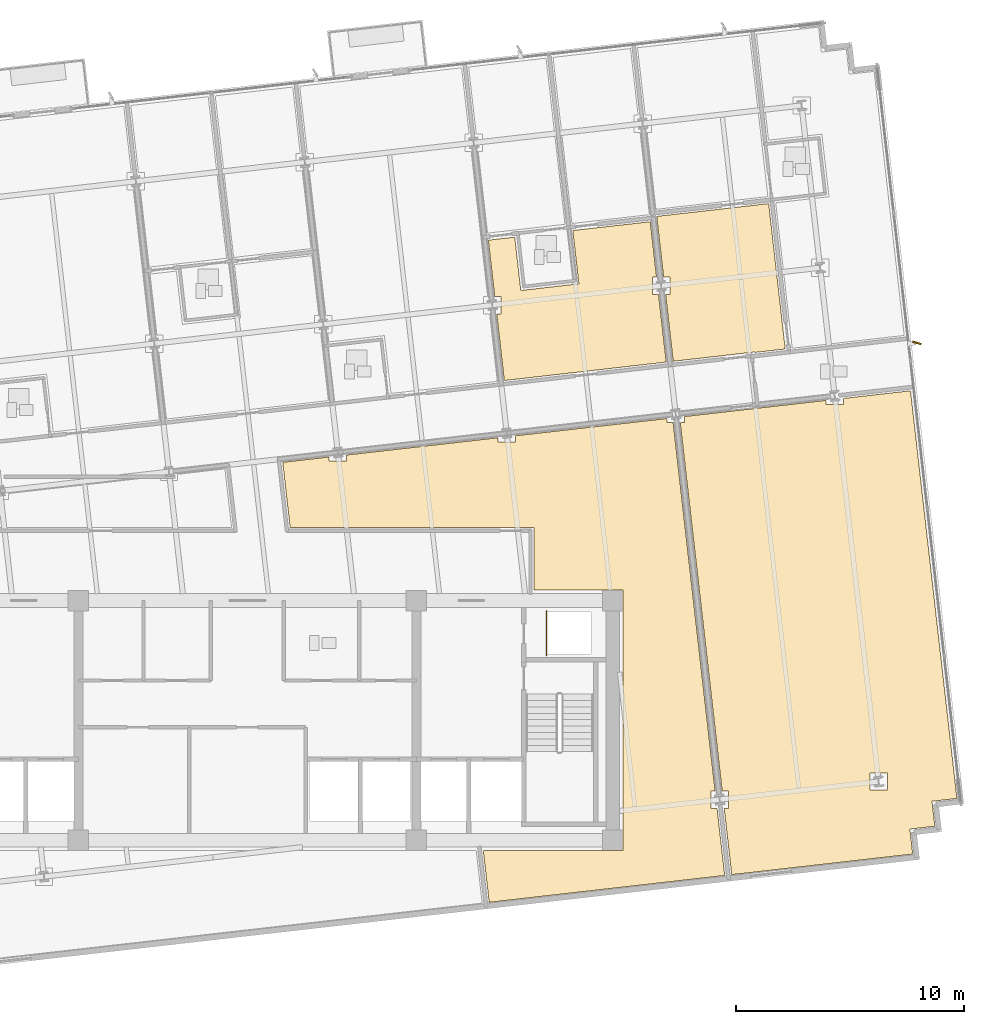
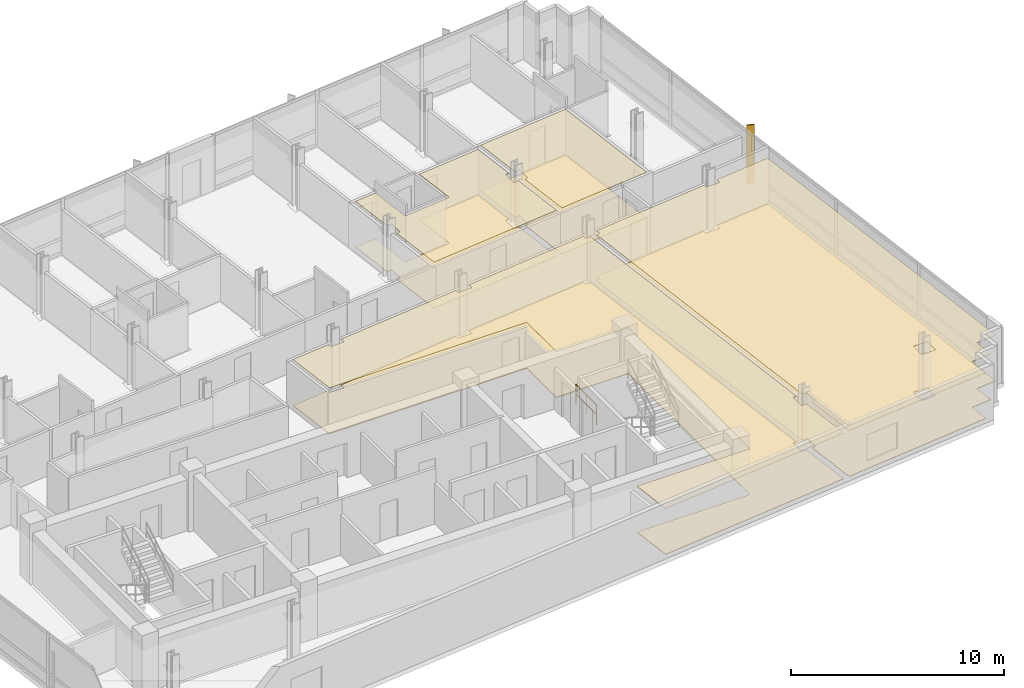
# One storey, part 15 of 17: 8 coverings, 1 railing, 1 shading device.
"""IFC4 building model written with IfcOpenShell, lengths in metres."""

import ifcopenshell
import ifcopenshell.guid

model = None  # the IFC model being written
_history = None  # IfcOwnerHistory: only IFC2X3 demands one
_inside = {}  # id of a spatial element -> (the spatial element, [elements in it])
_under = {}  # id of a project, library or spatial element -> (it, [spatial elements below it])
_declared = {}  # id of a project -> (the project, [libraries it declares])
_typed = {}  # id of a type object -> (the type object, [elements of that type])
_made_of = {}  # id of a material, layer set ... -> (it, [elements and type objects made of it])


def new_model(schema):
    """Start an empty IFC model of exactly this schema.

    Asked for "IFC4X3", IfcOpenShell would pick the latest addendum, in which some entities
    have other attributes; the version numbers below select the first issue.
    IFC2X3 requires an IfcOwnerHistory on every rooted entity: one is made here for all.
    """
    global model, _history
    if schema == "IFC4X3":
        model = ifcopenshell.file(schema_version=(4, 3, 0, 0))
    else:
        model = ifcopenshell.file(schema=schema)
    _inside.clear()
    _under.clear()
    _declared.clear()
    _typed.clear()
    _made_of.clear()
    _history = None
    if model.schema == "IFC2X3":
        org = make("IfcOrganization", Name="unknown")
        user = make(
            "IfcPersonAndOrganization",
            ThePerson=make("IfcPerson", FamilyName="unknown"),
            TheOrganization=org,
        )
        app = make(
            "IfcApplication",
            ApplicationDeveloper=org,
            Version="unknown",
            ApplicationFullName="unknown",
            ApplicationIdentifier="unknown",
        )
        _history = make(
            "IfcOwnerHistory",
            OwningUser=user,
            OwningApplication=app,
            ChangeAction="ADDED",
            CreationDate=0,
        )
    return model


def make(cls, **values):
    """One entity of the class cls with the attributes given. An attribute that is None is left unset."""
    return model.create_entity(
        cls, **{name: value for name, value in values.items() if value is not None}
    )


def rooted(cls, **values):
    """An entity with a GlobalId (a new one), such as an element, a storey or a relation."""
    return make(cls, GlobalId=ifcopenshell.guid.new(), OwnerHistory=_history, **values)


def si_unit(unit_type, name, prefix=None):
    """IfcSIUnit, for example si_unit("LENGTHUNIT", "METRE", prefix="MILLI")."""
    return make("IfcSIUnit", UnitType=unit_type, Prefix=prefix, Name=name)


def assignment(units):
    """IfcUnitAssignment: the units of a project."""
    return None if units is None else make("IfcUnitAssignment", Units=units)


def point(xyz):
    """IfcCartesianPoint."""
    return None if xyz is None else make("IfcCartesianPoint", Coordinates=xyz)


def direction(xyz):
    """IfcDirection."""
    return None if xyz is None else make("IfcDirection", DirectionRatios=xyz)


def frame(location, z_axis=None, x_axis=None):
    """IfcAxis2Placement3D, a coordinate frame: its origin and axes. An axis left out is left unset."""
    return make(
        "IfcAxis2Placement3D",
        Location=point(location),
        Axis=direction(z_axis),
        RefDirection=direction(x_axis),
    )


def frame_2d(location, x_axis=None):
    """IfcAxis2Placement2D, a coordinate frame in the plane: its origin and x axis."""
    return make(
        "IfcAxis2Placement2D", Location=point(location), RefDirection=direction(x_axis)
    )


def origin():
    """The frame at (0, 0, 0) with its axes left unset."""
    return frame((0.0, 0.0, 0.0))


def origin_2d():
    """The frame at (0, 0) in the plane with its x axis left unset."""
    return frame_2d((0.0, 0.0))


def place(relative_to, where):
    """IfcLocalPlacement: puts the frame where relative to a parent placement (None: the world)."""
    return make(
        "IfcLocalPlacement", PlacementRelTo=relative_to, RelativePlacement=where
    )


def context(
    kind, dimensions, precision=None, world=None, true_north=None, identifier=None
):
    """IfcGeometricRepresentationContext, for example the 3D "Model" context."""
    return make(
        "IfcGeometricRepresentationContext",
        ContextIdentifier=identifier,
        ContextType=kind,
        CoordinateSpaceDimension=dimensions,
        Precision=precision,
        WorldCoordinateSystem=world,
        TrueNorth=true_north,
    )


def subcontext(parent, identifier, kind, view, scale=None):
    """IfcGeometricRepresentationSubContext, for example "Body" below "Model"."""
    return make(
        "IfcGeometricRepresentationSubContext",
        ContextIdentifier=identifier,
        ContextType=kind,
        ParentContext=parent,
        TargetScale=scale,
        TargetView=view,
    )


def project(units=None, contexts=None):
    """IfcProject with its units and contexts."""
    return rooted(
        "IfcProject",
        Name="project",
        RepresentationContexts=contexts,
        UnitsInContext=assignment(units),
    )


def spatial(cls, under=None, at=None, **own):
    """A site, building, storey or space (cls), placed at a placement, below another one or the project."""
    s = rooted(cls, ObjectPlacement=at, **own)
    if under is not None:
        _under.setdefault(under.id(), (under, []))[1].append(s)
    return s


def polyline(points):
    """IfcPolyline through the points."""
    return make("IfcPolyline", Points=[point(p) for p in points])


def profile(cls, at=None, kind="AREA", **sizes):
    """A parametric profile (cls). Its sizes go by their IFC names, for example OverallWidth=200.0."""
    return make(cls, ProfileType=kind, Position=at, **sizes)


def rectangle(**sizes):
    """IfcRectangleProfileDef."""
    return profile("IfcRectangleProfileDef", **sizes)


def circle(**sizes):
    """IfcCircleProfileDef."""
    return profile("IfcCircleProfileDef", **sizes)


def outline(outer, holes=None, kind="AREA"):
    """IfcArbitraryClosedProfileDef: a profile drawn as a closed curve; with holes, ...WithVoids."""
    if holes is None:
        return make("IfcArbitraryClosedProfileDef", ProfileType=kind, OuterCurve=outer)
    return make(
        "IfcArbitraryProfileDefWithVoids",
        ProfileType=kind,
        OuterCurve=outer,
        InnerCurves=holes,
    )


def extrude(swept, where, along, depth):
    """IfcExtrudedAreaSolid: the profile swept, set in the frame where, extruded along a direction by depth."""
    return make(
        "IfcExtrudedAreaSolid",
        SweptArea=swept,
        Position=where,
        ExtrudedDirection=direction(along),
        Depth=depth,
    )


def shape(context_of_items, identifier, shape_type, items):
    """IfcShapeRepresentation: the items that make up one representation, for example the "Body"."""
    return make(
        "IfcShapeRepresentation",
        ContextOfItems=context_of_items,
        RepresentationIdentifier=identifier,
        RepresentationType=shape_type,
        Items=items,
    )


def material(Name=None, Category=None):
    """IfcMaterial."""
    return make("IfcMaterial", Name=Name, Category=Category)


def layer(
    of_material, thickness, ventilated=None, Name=None, Category=None, Priority=None
):
    """IfcMaterialLayer: one layer of a wall or slab, of a material (None: an air gap)."""
    return make(
        "IfcMaterialLayer",
        Material=of_material,
        LayerThickness=thickness,
        IsVentilated=ventilated,
        Name=Name,
        Category=Category,
        Priority=Priority,
    )


def layer_set(layers, Name=None):
    """IfcMaterialLayerSet."""
    return make("IfcMaterialLayerSet", MaterialLayers=layers, LayerSetName=Name)


def made_of(thing, what):
    """Note that an element or type object is made of a material, layer set ...; save() writes the relation."""
    if what is not None:
        _made_of.setdefault(what.id(), (what, []))[1].append(thing)
    return thing


def type_object(cls, material=None, **own):
    """A type object (cls), such as IfcWallType, which elements share."""
    return made_of(rooted(cls, **own), material)


def element(
    cls,
    number,
    at=None,
    inside=None,
    cuts=None,
    type_object=None,
    material=None,
    context=None,
    identifier="Body",
    shape_type=None,
    held_by="IfcProductDefinitionShape",
    body=None,
    shapes=None,
    **own,
):
    """One element of the class cls, such as IfcWall. Its Tag is "e" and its number.

    at: its placement. inside: the storey or other place that contains it. cuts: it is an
    opening in that element (IfcRelVoidsElement). A single representation is given by context,
    identifier, shape_type and body (its items); several are given by shapes. held_by: the class
    of the entity that holds the representations. save() writes the other relations.
    """
    e = rooted(cls, Tag="e%d" % number, ObjectPlacement=at, **own)
    if body is not None:
        shapes = [shape(context, identifier, shape_type, body)]
    if shapes is not None:
        e.Representation = make(held_by, Representations=shapes)
    if inside is not None:
        _inside.setdefault(inside.id(), (inside, []))[1].append(e)
    if cuts is not None:
        rooted(
            "IfcRelVoidsElement", RelatingBuildingElement=cuts, RelatedOpeningElement=e
        )
    if type_object is not None:
        _typed.setdefault(type_object.id(), (type_object, []))[1].append(e)
    return made_of(e, material)


def aggregate(whole, parts):
    """IfcRelAggregates: a whole, such as a stair, and the parts it consists of."""
    return rooted("IfcRelAggregates", RelatingObject=whole, RelatedObjects=parts)


def save(model, path):
    """Write the relations noted so far, then the file.

    IfcRelAggregates (storeys below a building ...), IfcRelContainedInSpatialStructure (elements
    in a storey), IfcRelDefinesByType, IfcRelAssociatesMaterial and IfcRelDeclares: one each for
    every whole, place, type object, material and project.
    """
    for whole, parts in _under.values():
        aggregate(whole, parts)
    for where, things in _inside.values():
        rooted(
            "IfcRelContainedInSpatialStructure",
            RelatedElements=things,
            RelatingStructure=where,
        )
    for kind, things in _typed.values():
        rooted("IfcRelDefinesByType", RelatedObjects=things, RelatingType=kind)
    for what, things in _made_of.values():
        rooted("IfcRelAssociatesMaterial", RelatedObjects=things, RelatingMaterial=what)
    for by, libraries in _declared.values():
        rooted("IfcRelDeclares", RelatingContext=by, RelatedDefinitions=libraries)
    model.write(path)


model = new_model("IFC4")

# Units and contexts
model_context = context("Model", 3, precision=1e-05, world=origin(), true_north=direction((0.0, 1.0)))
body_context = subcontext(model_context, "Body", "Model", "MODEL_VIEW")
ifc_project = project(units=[si_unit("LENGTHUNIT", "METRE"), si_unit("AREAUNIT", "SQUARE_METRE"), si_unit("VOLUMEUNIT", "CUBIC_METRE"), si_unit("PLANEANGLEUNIT", "RADIAN"), si_unit("MASSUNIT", "GRAM", prefix="KILO")], contexts=[model_context])

# Site, building, storey
site_placement = place(None, origin())
site = spatial("IfcSite", under=ifc_project, at=site_placement, CompositionType="ELEMENT")
building_placement = place(site_placement, origin())
building = spatial("IfcBuilding", under=site, at=building_placement, Name="Solmavex Isthmus Hotel", CompositionType="ELEMENT")
storey_placement = place(building_placement, frame((0.0, 0.0, 198.60009765625)))
storey = spatial("IfcBuildingStorey", under=building, at=storey_placement, Name="L53", CompositionType="ELEMENT", Elevation=198.60009765625)

# Coverings
ifc_material_1 = material(Name="Gypsum plasterboard lining", Category="gypsum")
ifc_layer_1 = layer(ifc_material_1, 0.030029296875)
ifc_layer_set_1 = layer_set([ifc_layer_1], Name="Gypsum plasterboard lining")
covering_type_1 = type_object("IfcCoveringType", Name="COV-CEIL-GYP", PredefinedType="CEILING", material=ifc_layer_set_1)
covering_1_placement = place(storey_placement, frame((0.0, 0.0, 2.619873046875)))
element("IfcCovering", 1, at=covering_1_placement, inside=storey, type_object=covering_type_1, Name="Suspended Acoustic Ceiling L53-SH05-LV", PredefinedType="CEILING", context=body_context, shape_type="SweptSolid", body=[
    extrude(outline(polyline([(18.006591796875, 10.904052734375), (17.7392578125, 10.904052734375), (17.7392578125, 11.6640625), (17.919921875, 11.6640625), (17.64306640625, 14.09326171875), (14.251953125, 13.706787109375), (14.51806640625, 11.371826171875), (11.974609375, 11.08203125), (11.70849609375, 13.4169921875), (10.552978515625, 13.285400390625), (10.833740234375, 10.821044921875), (11.10107421875, 10.821044921875), (11.10107421875, 10.06103515625), (10.92041015625, 10.06103515625), (11.25341796875, 7.13720703125), (18.343505859375, 7.945068359375), (18.006591796875, 10.904052734375)])), origin(), (0.0, 0.0, 1.0), 0.030029296875),
])
covering_2_placement = place(storey_placement, frame((0.0, 0.0, 2.619873046875)))
element("IfcCovering", 2, at=covering_2_placement, inside=storey, type_object=covering_type_1, Name="Suspended Acoustic Ceiling L53-SL06-FY", PredefinedType="CEILING", context=body_context, shape_type="SweptSolid", body=[
    extrude(outline(polyline([(18.23193359375, 11.6640625), (18.499267578125, 11.6640625), (18.499267578125, 10.904052734375), (18.318359375, 10.904052734375), (18.651611328125, 7.97998046875), (22.228515625, 8.3876953125), (22.230712890625, 8.36767578125), (23.55615234375, 8.518798828125), (22.830810546875, 14.885498046875), (17.928466796875, 14.326904296875), (18.17626953125, 12.15185546875), (18.23193359375, 11.6640625)])), origin(), (0.0, 0.0, 1.0), 0.030029296875),
])
covering_3_placement = place(storey_placement, frame((0.0, 0.0, 2.619873046875)))
element("IfcCovering", 3, at=covering_3_placement, inside=storey, type_object=covering_type_1, Name="Suspended Acoustic Ceiling L53-FL12", PredefinedType="CEILING", context=body_context, shape_type="SweptSolid", body=[
    extrude(outline(polyline([(4.34228515625, 3.873779296875), (4.34228515625, 3.6064453125), (3.582275390625, 3.6064453125), (3.582275390625, 3.787109375), (1.547607421875, 3.555419921875), (1.872314453125, 0.705078125), (12.554931640625, 0.705078125), (12.554931640625, -2.044921875), (16.455078125, -2.044921875), (16.455078125, -13.455078125), (10.332763671875, -13.455078125), (10.590087890625, -15.71484375), (17.361328125, -14.943359375), (20.905517578125, -14.53955078125), (20.5703125, -11.598388671875), (20.302978515625, -11.598388671875), (20.302978515625, -10.83837890625), (20.483642578125, -10.83837890625), (18.645751953125, 5.292236328125), (18.378662109375, 5.292236328125), (18.378662109375, 5.472900390625), (11.740478515625, 4.716796875), (11.740478515625, 4.449462890625), (10.98046875, 4.449462890625), (10.98046875, 4.630126953125), (4.34228515625, 3.873779296875)])), origin(), (0.0, 0.0, 1.0), 0.030029296875),
])
covering_4_placement = place(storey_placement, frame((0.0, 0.0, 2.619873046875)))
element("IfcCovering", 4, at=covering_4_placement, inside=storey, type_object=covering_type_1, Name="Suspended Acoustic Ceiling L53-FL13", PredefinedType="CEILING", context=body_context, shape_type="SweptSolid", body=[
    extrude(outline(polyline([(20.795654296875, -10.83837890625), (21.06298828125, -10.83837890625), (21.06298828125, -11.598388671875), (20.88232421875, -11.598388671875), (21.21337890625, -14.50439453125), (28.3203125, -13.69482421875), (29.14013671875, -13.601318359375), (29.015625, -12.50830078125), (30.108642578125, -12.3837890625), (29.98388671875, -11.291015625), (31.076904296875, -11.16650390625), (30.983642578125, -10.3466796875), (29.042724609375, 6.68798828125), (26.1015625, 6.35302734375), (26.1015625, 6.085693359375), (25.341552734375, 6.085693359375), (25.341552734375, 6.266357421875), (19.138427734375, 5.5595703125), (19.138427734375, 5.292236328125), (18.957763671875, 5.292236328125), (20.795654296875, -10.83837890625)]), holes=[polyline([(27.265869140625, -10.80517578125), (27.265869140625, -10.045166015625), (28.02587890625, -10.045166015625), (28.02587890625, -10.80517578125), (27.265869140625, -10.80517578125)])]), origin(), (0.0, 0.0, 1.0), 0.030029296875),
])
ifc_material_2 = material(Name="Travertine natural stone", Category="masonry")
ifc_layer_2 = layer(ifc_material_2, 0.02490234375)
ifc_layer_set_2 = layer_set([ifc_layer_2], Name="Travertine natural stone")
covering_type_2 = type_object("IfcCoveringType", Name="COV-FLOR-STN", PredefinedType="FLOORING", material=ifc_layer_set_2)
covering_5_placement = place(storey_placement, origin())
element("IfcCovering", 5, at=covering_5_placement, inside=storey, type_object=covering_type_2, Name="Stone and Timber Floor Finish L53-SH05-LV", PredefinedType="FLOORING", context=body_context, shape_type="SweptSolid", body=[
    extrude(outline(polyline([(18.006591796875, 10.904052734375), (17.7392578125, 10.904052734375), (17.7392578125, 11.6640625), (17.919921875, 11.6640625), (17.64306640625, 14.09326171875), (14.251953125, 13.706787109375), (14.51806640625, 11.371826171875), (11.974609375, 11.08203125), (11.70849609375, 13.4169921875), (10.552978515625, 13.285400390625), (10.833740234375, 10.821044921875), (11.10107421875, 10.821044921875), (11.10107421875, 10.06103515625), (10.92041015625, 10.06103515625), (11.25341796875, 7.13720703125), (18.343505859375, 7.945068359375), (18.006591796875, 10.904052734375)])), origin(), (0.0, 0.0, 1.0), 0.02490234375),
])
covering_6_placement = place(storey_placement, origin())
element("IfcCovering", 6, at=covering_6_placement, inside=storey, type_object=covering_type_2, Name="Stone and Timber Floor Finish L53-SL06-FY", PredefinedType="FLOORING", context=body_context, shape_type="SweptSolid", body=[
    extrude(outline(polyline([(18.23193359375, 11.6640625), (18.499267578125, 11.6640625), (18.499267578125, 10.904052734375), (18.318359375, 10.904052734375), (18.651611328125, 7.97998046875), (22.228515625, 8.3876953125), (22.230712890625, 8.36767578125), (23.55615234375, 8.518798828125), (22.830810546875, 14.885498046875), (17.928466796875, 14.326904296875), (18.17626953125, 12.15185546875), (18.23193359375, 11.6640625)])), origin(), (0.0, 0.0, 1.0), 0.02490234375),
])
covering_7_placement = place(storey_placement, origin())
element("IfcCovering", 7, at=covering_7_placement, inside=storey, type_object=covering_type_2, Name="Stone and Timber Floor Finish L53-FL12", PredefinedType="FLOORING", context=body_context, shape_type="SweptSolid", body=[
    extrude(outline(polyline([(4.34228515625, 3.873779296875), (4.34228515625, 3.6064453125), (3.582275390625, 3.6064453125), (3.582275390625, 3.787109375), (1.547607421875, 3.555419921875), (1.872314453125, 0.705078125), (12.554931640625, 0.705078125), (12.554931640625, -2.044921875), (16.455078125, -2.044921875), (16.455078125, -13.455078125), (10.332763671875, -13.455078125), (10.590087890625, -15.71484375), (17.361328125, -14.943359375), (20.905517578125, -14.53955078125), (20.5703125, -11.598388671875), (20.302978515625, -11.598388671875), (20.302978515625, -10.83837890625), (20.483642578125, -10.83837890625), (18.645751953125, 5.292236328125), (18.378662109375, 5.292236328125), (18.378662109375, 5.472900390625), (11.740478515625, 4.716796875), (11.740478515625, 4.449462890625), (10.98046875, 4.449462890625), (10.98046875, 4.630126953125), (4.34228515625, 3.873779296875)])), origin(), (0.0, 0.0, 1.0), 0.02490234375),
])
covering_8_placement = place(storey_placement, origin())
element("IfcCovering", 8, at=covering_8_placement, inside=storey, type_object=covering_type_2, Name="Stone and Timber Floor Finish L53-FL13", PredefinedType="FLOORING", context=body_context, shape_type="SweptSolid", body=[
    extrude(outline(polyline([(20.795654296875, -10.83837890625), (21.06298828125, -10.83837890625), (21.06298828125, -11.598388671875), (20.88232421875, -11.598388671875), (21.21337890625, -14.50439453125), (28.3203125, -13.69482421875), (29.14013671875, -13.601318359375), (29.015625, -12.50830078125), (30.108642578125, -12.3837890625), (29.98388671875, -11.291015625), (31.076904296875, -11.16650390625), (30.983642578125, -10.3466796875), (29.042724609375, 6.68798828125), (26.1015625, 6.35302734375), (26.1015625, 6.085693359375), (25.341552734375, 6.085693359375), (25.341552734375, 6.266357421875), (19.138427734375, 5.5595703125), (19.138427734375, 5.292236328125), (18.957763671875, 5.292236328125), (20.795654296875, -10.83837890625)]), holes=[polyline([(27.265869140625, -10.80517578125), (27.265869140625, -10.045166015625), (28.02587890625, -10.045166015625), (28.02587890625, -10.80517578125), (27.265869140625, -10.80517578125)])]), origin(), (0.0, 0.0, 1.0), 0.02490234375),
])

# Railing
ifc_material_3 = material(Name="Clear low-E laminated glass", Category="glass")
ifc_layer_3 = layer(ifc_material_3, 0.080078125)
ifc_layer_set_3 = layer_set([ifc_layer_3], Name="Clear low-E laminated glass")
railing_type = type_object("IfcRailingType", Name="RAIL-ATRIUM-1120", PredefinedType="BALUSTRADE", material=ifc_layer_set_3)
railing_placement = place(storey_placement, frame((13.10009765625, -4.89990234375, 0.0)))
element("IfcRailing", 9, at=railing_placement, inside=storey, type_object=railing_type, Name="Guardrail Balustrade L53-RSE-01", PredefinedType="BALUSTRADE", context=body_context, shape_type="SweptSolid", body=[
    extrude(circle(Radius=0.02392578125, at=origin_2d()), frame((0.0, 0.0, 1.1259765625), z_axis=(0.0, 1.0, 0.0), x_axis=(-1.0, 0.0, 0.0)), (0.0, 0.0, 1.0), 1.949951171875),
    extrude(circle(Radius=0.02392578125, at=origin_2d()), frame((0.0, 0.0, 0.574951171875), z_axis=(0.0, 1.0, 0.0), x_axis=(-1.0, 0.0, 0.0)), (0.0, 0.0, 1.0), 1.949951171875),
    extrude(circle(Radius=0.02099609375, at=origin_2d()), origin(), (0.0, 0.0, 1.0), 1.101806640625),
    extrude(circle(Radius=0.02099609375, at=origin_2d()), frame((0.0, 0.97509765625, 0.0)), (0.0, 0.0, 1.0), 1.101806640625),
    extrude(circle(Radius=0.02099609375, at=origin_2d()), frame((0.0, 1.949951171875, 0.0)), (0.0, 0.0, 1.0), 1.101806640625),
])

# Shading device
ifc_material_4 = material(Name="Aluminium alloy 6063-T6", Category="aluminium")
shading_device_type = type_object("IfcShadingDeviceType", Name="SHD-FIN-CHAMP", PredefinedType="USERDEFINED", material=ifc_material_4)
shading_device_placement = place(storey_placement, frame((29.32177734375, 8.7880859375, -0.14013671875), z_axis=(0.0, 0.0, 1.0), x_axis=(0.953716950748, -0.300705799504, 0.0)))
element("IfcShadingDevice", 10, at=shading_device_placement, inside=storey, type_object=shading_device_type, Name="Anodised Aluminium Solar Fin L53-E1", ObjectType="SOLAR_FIN", PredefinedType="USERDEFINED", context=body_context, shape_type="SweptSolid", body=[
    extrude(rectangle(XDim=0.3798828125, YDim=0.070068359375, at=origin_2d()), origin(), (0.0, 0.0, 1.0), 3.330078125),
])

save(model, "model.ifc")
